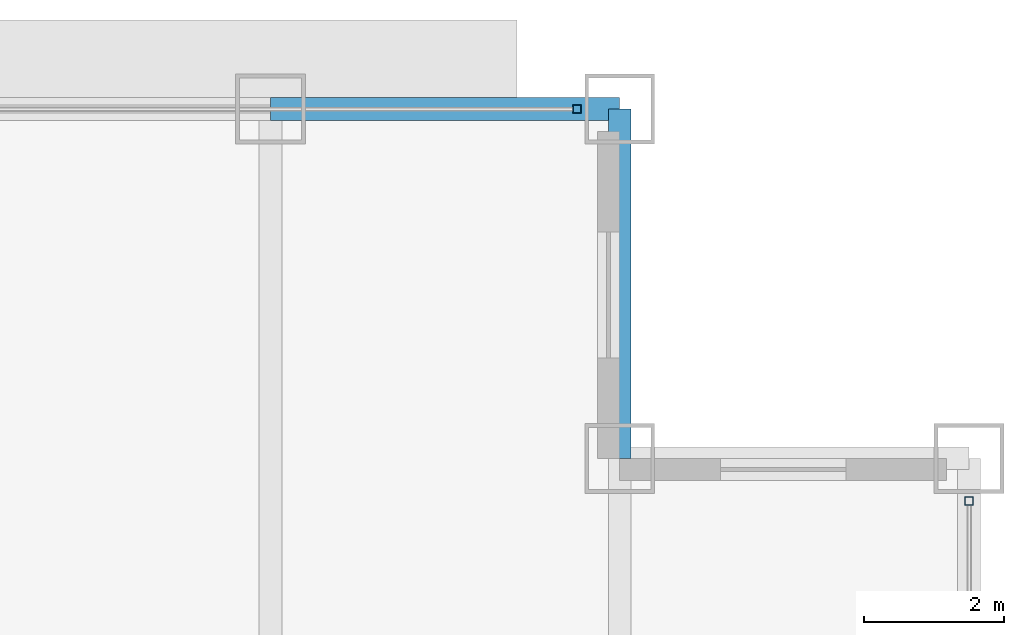
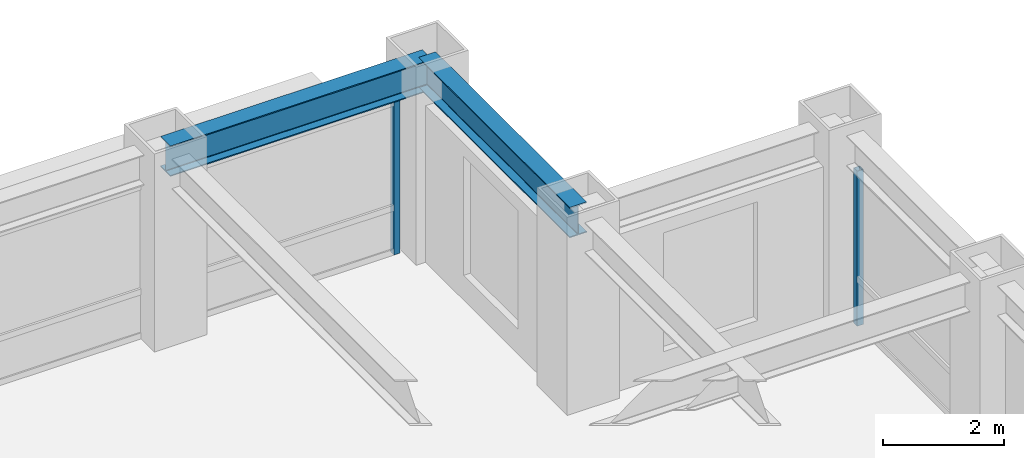
# One storey, part 18 of 29: 2 beams, 2 members, 2 elements without a shape of their own.
"""IFC4 building model written with IfcOpenShell, lengths in metres."""

from ifc_helpers import new_model, si_unit, direction, frame, origin, origin_2d, place, context, subcontext, project, spatial, hollow_rectangle, i_section, extrude, source, transform, mapped, material, material_profile, profile_set, type_object, element, aggregate, save


model = new_model("IFC4")

# Units and contexts
model_context = context("Model", 3, precision=1e-05, world=origin(), true_north=direction((0.0, 1.0)))
body_context = subcontext(model_context, "Body", "Model", "MODEL_VIEW")
ifc_project = project(units=[si_unit("LENGTHUNIT", "METRE"), si_unit("AREAUNIT", "SQUARE_METRE"), si_unit("VOLUMEUNIT", "CUBIC_METRE"), si_unit("PLANEANGLEUNIT", "RADIAN"), si_unit("MASSUNIT", "GRAM", prefix="KILO")], contexts=[model_context])

# Site, building, storey
site_placement = place(None, origin())
site = spatial("IfcSite", under=ifc_project, at=site_placement, CompositionType="ELEMENT")
building_placement = place(site_placement, origin())
building = spatial("IfcBuilding", under=site, at=building_placement, Name="Khorayat Bourse Tower", CompositionType="ELEMENT")
storey_placement = place(building_placement, frame((0.0, 0.0, 235.10009765625)))
storey = spatial("IfcBuildingStorey", under=building, at=storey_placement, Name="L55", CompositionType="ELEMENT", Elevation=235.10009765625)

# Beams
ifc_material_1 = material(Name="Steel ASTM A992 Grade 50", Category="steel")
ifc_material_profile_1 = material_profile(ifc_material_1, i_section(OverallWidth=0.324951171875, OverallDepth=0.615966796875, WebThickness=0.013916015625, FlangeThickness=0.021484375, FilletRadius=0.01611328125, at=origin_2d()), Name="W610X174")
ifc_profile_set_1 = profile_set([ifc_material_profile_1], Name="Steel ASTM A992 Grade 50")
beam_type = type_object("IfcBeamType", Name="BM-SPAN-610", PredefinedType="SPANDREL", material=ifc_profile_set_1)
shared_shape_1 = source(origin(), body_context, "Body", "SweptSolid", [
    extrude(i_section(OverallWidth=0.324951171875, OverallDepth=0.615966796875, WebThickness=0.013916015625, FlangeThickness=0.021484375, FilletRadius=0.01611328125, at=origin_2d()), origin(), (0.0, 0.0, 1.0), 5.0),
])
for number, where, z_axis, x_axis, name in (
    (1, (25.0, 25.0, 3.471923828125), (0.0, 1.0, 0.0), (-1.0, 0.0, 0.0), "L55 BM-SPAN-610 BM-L55-SPN-043"),
    (2, (20.0, 30.0, 3.471923828125), (1.0, 0.0, 0.0), (0.0, 1.0, 0.0), "L55 BM-SPAN-610 BM-L55-SPN-044"),
):
    element("IfcBeam", number, at=place(storey_placement, frame(where, z_axis=z_axis, x_axis=x_axis)), inside=storey, type_object=beam_type, Name=name, PredefinedType="SPANDREL", context=body_context, shape_type="MappedRepresentation", body=[
        mapped(shared_shape_1, transform((0.0, 0.0, 0.0), scale=1.0)),
    ])

# Curtain wall, member
ifc_material_2 = material(Name="Aluminium EN AW-6063 T6", Category="aluminium")
curtain_wall_type = type_object("IfcCurtainWallType", Name="CW-SYS-03", PredefinedType="NOTDEFINED", material=ifc_material_2)
curtain_wall_1_placement = place(storey_placement, origin())
curtain_wall_1 = element("IfcCurtainWall", 3, at=curtain_wall_1_placement, inside=storey, type_object=curtain_wall_type, Name="L55 Curtain Wall CW-L55-N1", PredefinedType="NOTDEFINED")
ifc_material_profile_2 = material_profile(ifc_material_2, hollow_rectangle(XDim=0.1201171875, YDim=0.1201171875, WallThickness=0.0048828125, at=origin_2d()), Name="ALU 120x120x5")
ifc_profile_set_2 = profile_set([ifc_material_profile_2], Name="Aluminium EN AW-6063 T6")
member_type = type_object("IfcMemberType", Name="CWM-VERT-120", PredefinedType="MULLION", material=ifc_profile_set_2)
shared_shape_2 = source(origin(), body_context, "Body", "SweptSolid", [
    extrude(hollow_rectangle(XDim=0.1201171875, YDim=0.1201171875, WallThickness=0.0048828125, at=origin_2d()), origin(), (0.0, 0.0, 1.0), 3.1298828125),
])
member_1_placement = place(storey_placement, frame((24.389892578125, 30.0, 0.0), z_axis=(0.0, 0.0, 1.0), x_axis=(0.0, 1.0, 0.0)))
member_1 = element("IfcMember", 4, at=member_1_placement, type_object=member_type, Name="CW-L55-N1 Vertical Mullion 3", PredefinedType="MULLION", context=body_context, shape_type="MappedRepresentation", body=[
    mapped(shared_shape_2, transform((0.0, 0.0, 0.0), scale=1.0)),
])
aggregate(curtain_wall_1, [member_1])

curtain_wall_2_placement = place(storey_placement, origin())
curtain_wall_2 = element("IfcCurtainWall", 5, at=curtain_wall_2_placement, inside=storey, type_object=curtain_wall_type, Name="L55 Curtain Wall CW-L55-E1", PredefinedType="NOTDEFINED")
member_2_placement = place(storey_placement, frame((30.0, 24.389892578125, 0.0), z_axis=(0.0, 0.0, 1.0), x_axis=(-1.0, 0.0, 0.0)))
member_2 = element("IfcMember", 6, at=member_2_placement, type_object=member_type, Name="CW-L55-E1 Vertical Mullion 3", PredefinedType="MULLION", context=body_context, shape_type="MappedRepresentation", body=[
    mapped(shared_shape_2, transform((0.0, 0.0, 0.0), scale=1.0)),
])
aggregate(curtain_wall_2, [member_2])

save(model, "model.ifc")
